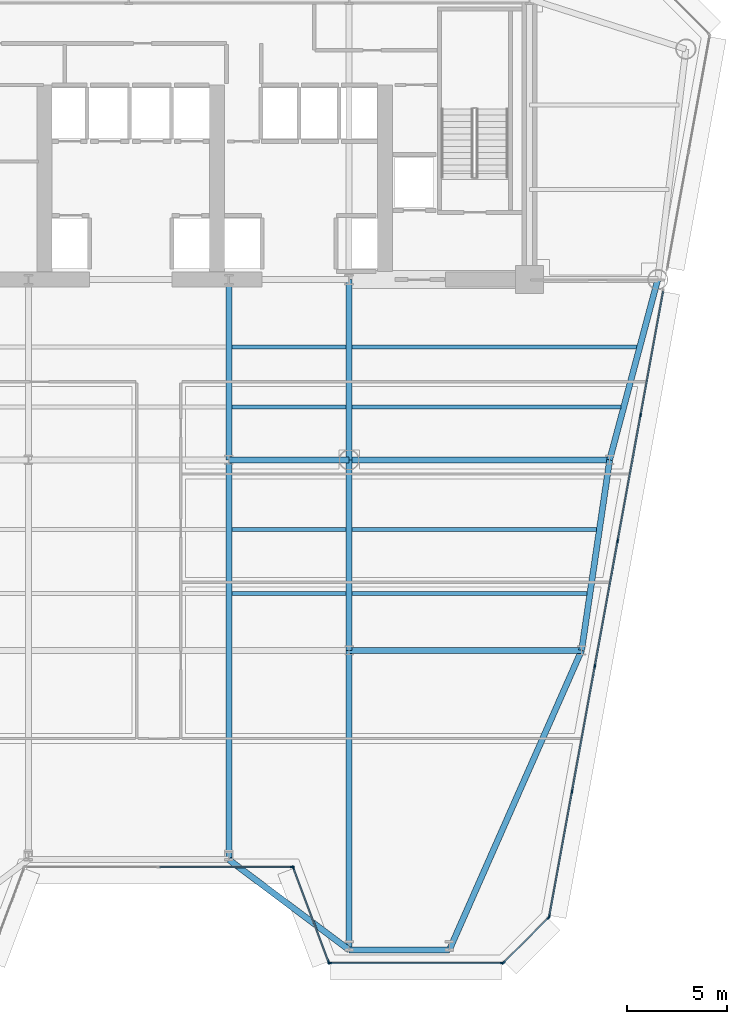
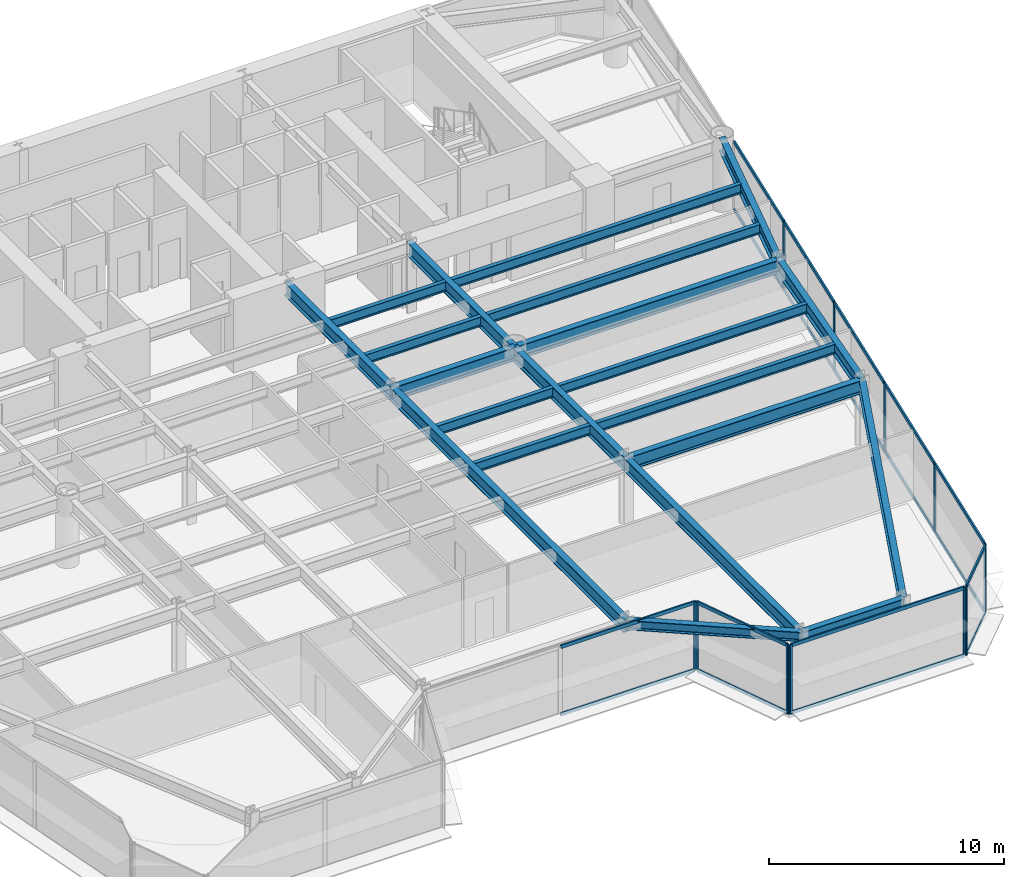
# One storey, part 4 of 14: 30 members, 21 beams, 5 elements without a shape of their own.
"""IFC4 building model written with IfcOpenShell, lengths in metres."""

from ifc_helpers import new_model, si_unit, direction, frame, origin, origin_2d, place, context, subcontext, project, spatial, rectangle, i_section, extrude, source, transform, mapped, material, layer, layer_set, material_profile, profile_set, type_object, element, aggregate, save


model = new_model("IFC4")

# Units and contexts
model_context = context("Model", 3, precision=1e-05, world=origin(), true_north=direction((0.0, 1.0)))
body_context = subcontext(model_context, "Body", "Model", "MODEL_VIEW")
ifc_project = project(units=[si_unit("LENGTHUNIT", "METRE"), si_unit("AREAUNIT", "SQUARE_METRE"), si_unit("VOLUMEUNIT", "CUBIC_METRE"), si_unit("PLANEANGLEUNIT", "RADIAN"), si_unit("MASSUNIT", "GRAM", prefix="KILO")], contexts=[model_context])

# Site, building, storey
site_placement = place(None, origin())
site = spatial("IfcSite", under=ifc_project, at=site_placement, CompositionType="ELEMENT")
building_placement = place(site_placement, origin())
building = spatial("IfcBuilding", under=site, at=building_placement, Name="Vaeldorn Concourse Tower", CompositionType="ELEMENT")
storey_placement = place(building_placement, frame((0.0, 0.0, 107.199951171875)))
storey = spatial("IfcBuildingStorey", under=building, at=storey_placement, Name="L27", CompositionType="ELEMENT", Elevation=107.199951171875)

# Beams
ifc_material_1 = material(Name="Steel S355", Category="steel")
ifc_material_profile_1 = material_profile(ifc_material_1, i_section(OverallWidth=0.199951171875, OverallDepth=0.5, WebThickness=0.01025390625, FlangeThickness=0.01611328125, FilletRadius=0.02099609375, at=origin_2d()), Name="IPE 500")
ifc_profile_set_1 = profile_set([ifc_material_profile_1], Name="Steel S355")
beam_type_1 = type_object("IfcBeamType", Name="BM-JS-IPE500", PredefinedType="JOIST", material=ifc_profile_set_1)
shared_shape_1 = source(origin(), body_context, "Body", "SweptSolid", [
    extrude(i_section(OverallWidth=0.199951171875, OverallDepth=0.5, WebThickness=0.01025390625, FlangeThickness=0.01611328125, FilletRadius=0.02099609375, at=origin_2d()), origin(), (0.0, 0.0, 1.0), 5.7001953125),
])
for number, where, z_axis, x_axis, name in (
    (1, (39.14990234375, 20.840087890625, 3.330078125), (1.0, 0.0, 0.0), (0.0, 1.0, 0.0), "Beam JS-L27-E2-208"),
    (2, (39.14990234375, 24.0400390625, 3.330078125), (1.0, 0.0, 0.0), (0.0, 1.0, 0.0), "Beam JS-L27-E2-240"),
    (3, (39.14990234375, 30.139892578125, 3.330078125), (1.0, 0.0, 0.0), (0.0, 1.0, 0.0), "Beam JS-L27-E2-301"),
    (4, (39.14990234375, 33.139892578125, 3.330078125), (1.0, 0.0, 0.0), (0.0, 1.0, 0.0), "Beam JS-L27-E2-331"),
):
    element("IfcBeam", number, at=place(storey_placement, frame(where, z_axis=z_axis, x_axis=x_axis)), inside=storey, type_object=beam_type_1, Name=name, PredefinedType="JOIST", context=body_context, shape_type="MappedRepresentation", body=[
        mapped(shared_shape_1, transform((0.0, 0.0, 0.0), scale=1.0)),
    ])
shared_shape_2 = source(origin(), body_context, "Body", "SweptSolid", [
    extrude(i_section(OverallWidth=0.199951171875, OverallDepth=0.5, WebThickness=0.01025390625, FlangeThickness=0.01611328125, FilletRadius=0.02099609375, at=origin_2d()), origin(), (0.0, 0.0, 1.0), 11.718505859375),
])
beam_1_placement = place(storey_placement, frame((45.14990234375, 20.840087890625, 3.330078125), z_axis=(1.0, 0.0, 0.0), x_axis=(0.0, 1.0, 0.0)))
element("IfcBeam", 5, at=beam_1_placement, inside=storey, type_object=beam_type_1, Name="Beam JS-L27-E1-208", PredefinedType="JOIST", context=body_context, shape_type="MappedRepresentation", body=[
    mapped(shared_shape_2, transform((0.0, 0.0, 0.0), scale=1.0)),
])
shared_shape_3 = source(origin(), body_context, "Body", "SweptSolid", [
    extrude(i_section(OverallWidth=0.199951171875, OverallDepth=0.5, WebThickness=0.01025390625, FlangeThickness=0.01611328125, FilletRadius=0.02099609375, at=origin_2d()), origin(), (0.0, 0.0, 1.0), 12.190185546875),
])
beam_2_placement = place(storey_placement, frame((45.14990234375, 24.0400390625, 3.330078125), z_axis=(1.0, 0.0, 0.0), x_axis=(0.0, 1.0, 0.0)))
element("IfcBeam", 6, at=beam_2_placement, inside=storey, type_object=beam_type_1, Name="Beam JS-L27-E1-240", PredefinedType="JOIST", context=body_context, shape_type="MappedRepresentation", body=[
    mapped(shared_shape_3, transform((0.0, 0.0, 0.0), scale=1.0)),
])
shared_shape_4 = source(origin(), body_context, "Body", "SweptSolid", [
    extrude(i_section(OverallWidth=0.199951171875, OverallDepth=0.5, WebThickness=0.01025390625, FlangeThickness=0.01611328125, FilletRadius=0.02099609375, at=origin_2d()), origin(), (0.0, 0.0, 1.0), 13.404052734375),
])
beam_3_placement = place(storey_placement, frame((45.14990234375, 30.139892578125, 3.330078125), z_axis=(1.0, 0.0, 0.0), x_axis=(0.0, 1.0, 0.0)))
element("IfcBeam", 7, at=beam_3_placement, inside=storey, type_object=beam_type_1, Name="Beam JS-L27-E1-301", PredefinedType="JOIST", context=body_context, shape_type="MappedRepresentation", body=[
    mapped(shared_shape_4, transform((0.0, 0.0, 0.0), scale=1.0)),
])
shared_shape_5 = source(origin(), body_context, "Body", "SweptSolid", [
    extrude(i_section(OverallWidth=0.199951171875, OverallDepth=0.5, WebThickness=0.01025390625, FlangeThickness=0.01611328125, FilletRadius=0.02099609375, at=origin_2d()), origin(), (0.0, 0.0, 1.0), 14.2041015625),
])
beam_4_placement = place(storey_placement, frame((45.14990234375, 33.139892578125, 3.330078125), z_axis=(1.0, 0.0, 0.0), x_axis=(0.0, 1.0, 0.0)))
element("IfcBeam", 8, at=beam_4_placement, inside=storey, type_object=beam_type_1, Name="Beam JS-L27-E1-331", PredefinedType="JOIST", context=body_context, shape_type="MappedRepresentation", body=[
    mapped(shared_shape_5, transform((0.0, 0.0, 0.0), scale=1.0)),
])
ifc_material_profile_2 = material_profile(ifc_material_1, i_section(OverallWidth=0.300048828125, OverallDepth=0.699951171875, WebThickness=0.01708984375, FlangeThickness=0.031982421875, FilletRadius=0.027099609375, at=origin_2d()), Name="HEB 700")
ifc_profile_set_2 = profile_set([ifc_material_profile_2], Name="Steel S355")
beam_type_2 = type_object("IfcBeamType", Name="BM-PG-HEB700", PredefinedType="BEAM", material=ifc_profile_set_2)
shared_shape_6 = source(origin(), body_context, "Body", "SweptSolid", [
    extrude(i_section(OverallWidth=0.300048828125, OverallDepth=0.699951171875, WebThickness=0.01708984375, FlangeThickness=0.031982421875, FilletRadius=0.027099609375, at=origin_2d()), origin(), (0.0, 0.0, 1.0), 6.0),
])
beam_5_placement = place(storey_placement, frame((39.0, 27.5, 3.22998046875), z_axis=(1.0, 0.0, 0.0), x_axis=(0.0, 1.0, 0.0)))
element("IfcBeam", 9, at=beam_5_placement, inside=storey, type_object=beam_type_2, Name="Beam BM-L27-C-TW3-C-TW4", PredefinedType="BEAM", context=body_context, shape_type="MappedRepresentation", body=[
    mapped(shared_shape_6, transform((0.0, 0.0, 0.0), scale=1.0)),
])
shared_shape_7 = source(origin(), body_context, "Body", "SweptSolid", [
    extrude(i_section(OverallWidth=0.300048828125, OverallDepth=0.699951171875, WebThickness=0.01708984375, FlangeThickness=0.031982421875, FilletRadius=0.027099609375, at=origin_2d()), origin(), (0.0, 0.0, 1.0), 9.0),
])
for number, where, z_axis, x_axis, name in (
    (10, (39.0, 27.5, 3.22998046875), (0.0, 1.0, 0.0), (-1.0, 0.0, 0.0), "Beam BM-L27-C-TW3-C-FC4"),
    (11, (45.0, 27.5, 3.22998046875), (0.0, 1.0, 0.0), (-1.0, 0.0, 0.0), "Beam BM-L27-C-TW4-C-FC5"),
):
    element("IfcBeam", number, at=place(storey_placement, frame(where, z_axis=z_axis, x_axis=x_axis)), inside=storey, type_object=beam_type_2, Name=name, PredefinedType="BEAM", context=body_context, shape_type="MappedRepresentation", body=[
        mapped(shared_shape_7, transform((0.0, 0.0, 0.0), scale=1.0)),
    ])
shared_shape_8 = source(origin(), body_context, "Body", "SweptSolid", [
    extrude(i_section(OverallWidth=0.300048828125, OverallDepth=0.699951171875, WebThickness=0.01708984375, FlangeThickness=0.031982421875, FilletRadius=0.027099609375, at=origin_2d()), origin(), (0.0, 0.0, 1.0), 9.314453125),
])
beam_6_placement = place(storey_placement, frame((60.39990234375, 36.5, 3.22998046875), z_axis=(-0.257652862255, -0.966237549763, 0.0), x_axis=(0.966237549763, -0.257652862255, 0.0)))
element("IfcBeam", 12, at=beam_6_placement, inside=storey, type_object=beam_type_2, Name="Beam BM-L27-C-NE2-C-FLE1", PredefinedType="BEAM", context=body_context, shape_type="MappedRepresentation", body=[
    mapped(shared_shape_8, transform((0.0, 0.0, 0.0), scale=1.0)),
])
shared_shape_9 = source(origin(), body_context, "Body", "SweptSolid", [
    extrude(i_section(OverallWidth=0.300048828125, OverallDepth=0.699951171875, WebThickness=0.01708984375, FlangeThickness=0.031982421875, FilletRadius=0.027099609375, at=origin_2d()), origin(), (0.0, 0.0, 1.0), 13.0),
])
beam_7_placement = place(storey_placement, frame((45.0, 27.5, 3.22998046875), z_axis=(1.0, 0.0, 0.0), x_axis=(0.0, 1.0, 0.0)))
element("IfcBeam", 13, at=beam_7_placement, inside=storey, type_object=beam_type_2, Name="Beam BM-L27-C-TW4-C-FLE1", PredefinedType="BEAM", context=body_context, shape_type="MappedRepresentation", body=[
    mapped(shared_shape_9, transform((0.0, 0.0, 0.0), scale=1.0)),
])
ifc_material_profile_3 = material_profile(ifc_material_1, i_section(OverallWidth=0.300048828125, OverallDepth=0.5, WebThickness=0.014404296875, FlangeThickness=0.028076171875, FilletRadius=0.027099609375, at=origin_2d()), Name="HEB 500")
ifc_profile_set_3 = profile_set([ifc_material_profile_3], Name="Steel S355")
beam_type_3 = type_object("IfcBeamType", Name="BM-SP-HEB500", PredefinedType="SPANDREL", material=ifc_profile_set_3)
shared_shape_10 = source(origin(), body_context, "Body", "SweptSolid", [
    extrude(i_section(OverallWidth=0.300048828125, OverallDepth=0.5, WebThickness=0.014404296875, FlangeThickness=0.028076171875, FilletRadius=0.027099609375, at=origin_2d()), origin(), (0.0, 0.0, 1.0), 5.0),
])
beam_8_placement = place(storey_placement, frame((45.0, 3.0517578125, 3.330078125), z_axis=(1.0, 0.0, 0.0), x_axis=(0.0, 1.0, 0.0)))
element("IfcBeam", 14, at=beam_8_placement, inside=storey, type_object=beam_type_3, Name="Beam BM-L27-C-SF5-C-SF6", PredefinedType="SPANDREL", context=body_context, shape_type="MappedRepresentation", body=[
    mapped(shared_shape_10, transform((0.0, 0.0, 0.0), scale=1.0)),
])
shared_shape_11 = source(origin(), body_context, "Body", "SweptSolid", [
    extrude(i_section(OverallWidth=0.300048828125, OverallDepth=0.5, WebThickness=0.014404296875, FlangeThickness=0.028076171875, FilletRadius=0.027099609375, at=origin_2d()), origin(), (0.0, 0.0, 1.0), 7.5),
])
beam_9_placement = place(storey_placement, frame((39.0, 7.5517578125, 3.330078125), z_axis=(0.8, -0.6, 0.0), x_axis=(0.6, 0.8, 0.0)))
element("IfcBeam", 15, at=beam_9_placement, inside=storey, type_object=beam_type_3, Name="Beam BM-L27-C-SF4-C-SF5", PredefinedType="SPANDREL", context=body_context, shape_type="MappedRepresentation", body=[
    mapped(shared_shape_11, transform((0.0, 0.0, 0.0), scale=1.0)),
])
shared_shape_12 = source(origin(), body_context, "Body", "SweptSolid", [
    extrude(i_section(OverallWidth=0.300048828125, OverallDepth=0.699951171875, WebThickness=0.01708984375, FlangeThickness=0.031982421875, FilletRadius=0.027099609375, at=origin_2d()), origin(), (0.0, 0.0, 1.0), 9.6025390625),
])
beam_10_placement = place(storey_placement, frame((58.0, 27.5, 3.22998046875), z_axis=(-0.145783835977, -0.989316467652, 0.0), x_axis=(0.989316467652, -0.145783835977, 0.0)))
element("IfcBeam", 16, at=beam_10_placement, inside=storey, type_object=beam_type_2, Name="Beam BM-L27-C-FLE1-C-FLE2", PredefinedType="BEAM", context=body_context, shape_type="MappedRepresentation", body=[
    mapped(shared_shape_12, transform((0.0, 0.0, 0.0), scale=1.0)),
])
shared_shape_13 = source(origin(), body_context, "Body", "SweptSolid", [
    extrude(i_section(OverallWidth=0.300048828125, OverallDepth=0.699951171875, WebThickness=0.01708984375, FlangeThickness=0.031982421875, FilletRadius=0.027099609375, at=origin_2d()), origin(), (0.0, 0.0, 1.0), 11.60009765625),
])
beam_11_placement = place(storey_placement, frame((45.0, 18.0, 3.22998046875), z_axis=(1.0, 0.0, 0.0), x_axis=(0.0, 1.0, 0.0)))
element("IfcBeam", 17, at=beam_11_placement, inside=storey, type_object=beam_type_2, Name="Beam BM-L27-C-TW6-C-FLE2", PredefinedType="BEAM", context=body_context, shape_type="MappedRepresentation", body=[
    mapped(shared_shape_13, transform((0.0, 0.0, 0.0), scale=1.0)),
])
shared_shape_14 = source(origin(), body_context, "Body", "SweptSolid", [
    extrude(i_section(OverallWidth=0.300048828125, OverallDepth=0.699951171875, WebThickness=0.01708984375, FlangeThickness=0.031982421875, FilletRadius=0.027099609375, at=origin_2d()), origin(), (0.0, 0.0, 1.0), 9.5),
])
beam_12_placement = place(storey_placement, frame((45.0, 18.0, 3.22998046875), z_axis=(0.0, 1.0, 0.0), x_axis=(-1.0, 0.0, 0.0)))
element("IfcBeam", 18, at=beam_12_placement, inside=storey, type_object=beam_type_2, Name="Beam BM-L27-C-TW6-C-TW4", PredefinedType="BEAM", context=body_context, shape_type="MappedRepresentation", body=[
    mapped(shared_shape_14, transform((0.0, 0.0, 0.0), scale=1.0)),
])
shared_shape_15 = source(origin(), body_context, "Body", "SweptSolid", [
    extrude(i_section(OverallWidth=0.300048828125, OverallDepth=0.699951171875, WebThickness=0.01708984375, FlangeThickness=0.031982421875, FilletRadius=0.027099609375, at=origin_2d()), origin(), (0.0, 0.0, 1.0), 16.340576171875),
])
beam_13_placement = place(storey_placement, frame((50.0, 3.0517578125, 3.22998046875), z_axis=(0.403910920123, 0.914798321274, 0.0), x_axis=(-0.914798321274, 0.403910920123, 0.0)))
element("IfcBeam", 19, at=beam_13_placement, inside=storey, type_object=beam_type_2, Name="Beam BM-L27-C-SF6-C-FLE2", PredefinedType="BEAM", context=body_context, shape_type="MappedRepresentation", body=[
    mapped(shared_shape_15, transform((0.0, 0.0, 0.0), scale=1.0)),
])
shared_shape_16 = source(origin(), body_context, "Body", "SweptSolid", [
    extrude(i_section(OverallWidth=0.300048828125, OverallDepth=0.699951171875, WebThickness=0.01708984375, FlangeThickness=0.031982421875, FilletRadius=0.027099609375, at=origin_2d()), origin(), (0.0, 0.0, 1.0), 14.9482421875),
])
beam_14_placement = place(storey_placement, frame((45.0, 3.0517578125, 3.22998046875), z_axis=(0.0, 1.0, 0.0), x_axis=(-1.0, 0.0, 0.0)))
element("IfcBeam", 20, at=beam_14_placement, inside=storey, type_object=beam_type_2, Name="Beam BM-L27-C-SF5-C-TW6", PredefinedType="BEAM", context=body_context, shape_type="MappedRepresentation", body=[
    mapped(shared_shape_16, transform((0.0, 0.0, 0.0), scale=1.0)),
])
shared_shape_17 = source(origin(), body_context, "Body", "SweptSolid", [
    extrude(i_section(OverallWidth=0.300048828125, OverallDepth=0.699951171875, WebThickness=0.01708984375, FlangeThickness=0.031982421875, FilletRadius=0.027099609375, at=origin_2d()), origin(), (0.0, 0.0, 1.0), 19.9482421875),
])
beam_15_placement = place(storey_placement, frame((39.0, 7.5517578125, 3.22998046875), z_axis=(0.0, 1.0, 0.0), x_axis=(-1.0, 0.0, 0.0)))
element("IfcBeam", 21, at=beam_15_placement, inside=storey, type_object=beam_type_2, Name="Beam BM-L27-C-SF4-C-TW3", PredefinedType="BEAM", context=body_context, shape_type="MappedRepresentation", body=[
    mapped(shared_shape_17, transform((0.0, 0.0, 0.0), scale=1.0)),
])

# Curtain wall, members
ifc_material_2 = material(Name="Anodised Bronze Aluminium", Category="aluminium")
ifc_layer = layer(ifc_material_2, 0.199951171875)
ifc_layer_set = layer_set([ifc_layer], Name="Anodised Bronze Aluminium")
curtain_wall_type = type_object("IfcCurtainWallType", Name="CW-SYS-02", PredefinedType="NOTDEFINED", material=ifc_layer_set)
curtain_wall_1_placement = place(storey_placement, origin())
curtain_wall_1 = element("IfcCurtainWall", 22, at=curtain_wall_1_placement, inside=storey, type_object=curtain_wall_type, Name="Unitised Curtain Wall CW-L27-E03-1", PredefinedType="NOTDEFINED")
ifc_material_profile_4 = material_profile(ifc_material_2, rectangle(XDim=0.074951171875, YDim=0.179931640625, at=origin_2d()), Name="CWT 75x180")
ifc_profile_set_4 = profile_set([ifc_material_profile_4], Name="Anodised Bronze Aluminium")
member_type_1 = type_object("IfcMemberType", Name="CWT-BRONZE-180", PredefinedType="USERDEFINED", material=ifc_profile_set_4)
shared_shape_18 = source(origin(), body_context, "Body", "SweptSolid", [
    extrude(rectangle(XDim=0.074951171875, YDim=0.179931640625, at=origin_2d()), origin(), (0.0, 0.0, 1.0), 6.58740234375),
])
member_1_placement = place(storey_placement, frame((35.53759765625, 7.19091796875, 0.03759765625), z_axis=(1.0, 0.0, 0.0), x_axis=(0.0, 1.0, 0.0)))
member_1 = element("IfcMember", 23, at=member_1_placement, type_object=member_type_1, Name="CW-02 transom 2.1", ObjectType="TRANSOM", PredefinedType="USERDEFINED", context=body_context, shape_type="MappedRepresentation", body=[
    mapped(shared_shape_18, transform((0.0, 0.0, 0.0), scale=1.0)),
])
member_2_placement = place(storey_placement, frame((35.53759765625, 7.19091796875, 3.54248046875), z_axis=(1.0, 0.0, 0.0), x_axis=(0.0, 1.0, 0.0)))
member_2 = element("IfcMember", 24, at=member_2_placement, type_object=member_type_1, Name="CW-02 transom 2.2", ObjectType="TRANSOM", PredefinedType="USERDEFINED", context=body_context, shape_type="MappedRepresentation", body=[
    mapped(shared_shape_18, transform((0.0, 0.0, 0.0), scale=1.0)),
])

curtain_wall_2_placement = place(storey_placement, origin())
curtain_wall_2 = element("IfcCurtainWall", 25, at=curtain_wall_2_placement, inside=storey, type_object=curtain_wall_type, Name="Unitised Curtain Wall CW-L27-E06-1", PredefinedType="NOTDEFINED")
shared_shape_19 = source(origin(), body_context, "Body", "SweptSolid", [
    extrude(rectangle(XDim=0.074951171875, YDim=0.179931640625, at=origin_2d()), origin(), (0.0, 0.0, 1.0), 3.102783203125),
])
member_3_placement = place(storey_placement, frame((52.732421875, 2.44384765625, 0.03759765625), z_axis=(0.707146122816, 0.707067437368, 0.0), x_axis=(-0.707067437368, 0.707146122816, 0.0)))
member_3 = element("IfcMember", 26, at=member_3_placement, type_object=member_type_1, Name="CW-02 transom 1.1", ObjectType="TRANSOM", PredefinedType="USERDEFINED", context=body_context, shape_type="MappedRepresentation", body=[
    mapped(shared_shape_19, transform((0.0, 0.0, 0.0), scale=1.0)),
])
member_4_placement = place(storey_placement, frame((52.732421875, 2.44384765625, 3.54248046875), z_axis=(0.707146122816, 0.707067437368, 0.0), x_axis=(-0.707067437368, 0.707146122816, 0.0)))
member_4 = element("IfcMember", 27, at=member_4_placement, type_object=member_type_1, Name="CW-02 transom 1.2", ObjectType="TRANSOM", PredefinedType="USERDEFINED", context=body_context, shape_type="MappedRepresentation", body=[
    mapped(shared_shape_19, transform((0.0, 0.0, 0.0), scale=1.0)),
])

curtain_wall_3_placement = place(storey_placement, origin())
curtain_wall_3 = element("IfcCurtainWall", 28, at=curtain_wall_3_placement, inside=storey, type_object=curtain_wall_type, Name="Unitised Curtain Wall CW-L27-E04-1", PredefinedType="NOTDEFINED")
shared_shape_20 = source(origin(), body_context, "Body", "SweptSolid", [
    extrude(rectangle(XDim=0.074951171875, YDim=0.179931640625, at=origin_2d()), origin(), (0.0, 0.0, 1.0), 4.9765625),
])
member_5_placement = place(storey_placement, frame((42.226318359375, 7.12060546875, 0.03759765625), z_axis=(0.351112688987, -0.936333209724, 0.0), x_axis=(0.936333209724, 0.351112688987, 0.0)))
member_5 = element("IfcMember", 29, at=member_5_placement, type_object=member_type_1, Name="CW-02 transom 1.1", ObjectType="TRANSOM", PredefinedType="USERDEFINED", context=body_context, shape_type="MappedRepresentation", body=[
    mapped(shared_shape_20, transform((0.0, 0.0, 0.0), scale=1.0)),
])
member_6_placement = place(storey_placement, frame((42.226318359375, 7.12060546875, 3.54248046875), z_axis=(0.351112688987, -0.936333209724, 0.0), x_axis=(0.936333209724, 0.351112688987, 0.0)))
member_6 = element("IfcMember", 30, at=member_6_placement, type_object=member_type_1, Name="CW-02 transom 1.2", ObjectType="TRANSOM", PredefinedType="USERDEFINED", context=body_context, shape_type="MappedRepresentation", body=[
    mapped(shared_shape_20, transform((0.0, 0.0, 0.0), scale=1.0)),
])

curtain_wall_4_placement = place(storey_placement, origin())
curtain_wall_4 = element("IfcCurtainWall", 31, at=curtain_wall_4_placement, inside=storey, type_object=curtain_wall_type, Name="Unitised Curtain Wall CW-L27-E05-1", PredefinedType="NOTDEFINED")
shared_shape_21 = source(origin(), body_context, "Body", "SweptSolid", [
    extrude(rectangle(XDim=0.074951171875, YDim=0.179931640625, at=origin_2d()), origin(), (0.0, 0.0, 1.0), 8.529541015625),
])
member_7_placement = place(storey_placement, frame((44.074951171875, 2.390869140625, 0.03759765625), z_axis=(1.0, 0.0, 0.0), x_axis=(0.0, 1.0, 0.0)))
member_7 = element("IfcMember", 32, at=member_7_placement, type_object=member_type_1, Name="CW-02 transom 1.1", ObjectType="TRANSOM", PredefinedType="USERDEFINED", context=body_context, shape_type="MappedRepresentation", body=[
    mapped(shared_shape_21, transform((0.0, 0.0, 0.0), scale=1.0)),
])
member_8_placement = place(storey_placement, frame((44.074951171875, 2.390869140625, 3.54248046875), z_axis=(1.0, 0.0, 0.0), x_axis=(0.0, 1.0, 0.0)))
member_8 = element("IfcMember", 33, at=member_8_placement, type_object=member_type_1, Name="CW-02 transom 1.2", ObjectType="TRANSOM", PredefinedType="USERDEFINED", context=body_context, shape_type="MappedRepresentation", body=[
    mapped(shared_shape_21, transform((0.0, 0.0, 0.0), scale=1.0)),
])

# Member
ifc_material_profile_5 = material_profile(ifc_material_2, rectangle(XDim=0.074951171875, YDim=0.18994140625, at=origin_2d()), Name="CWM 75x190")
ifc_profile_set_5 = profile_set([ifc_material_profile_5], Name="Anodised Bronze Aluminium")
member_type_2 = type_object("IfcMemberType", Name="CWM-BRONZE-190", PredefinedType="MULLION", material=ifc_profile_set_5)
shared_shape_22 = source(origin(), body_context, "Body", "SweptSolid", [
    extrude(rectangle(XDim=0.074951171875, YDim=0.18994140625, at=origin_2d()), origin(), (0.0, 0.0, 1.0), 3.580078125),
])
member_9_placement = place(storey_placement, frame((42.16259765625, 7.19091796875, 0.0), z_axis=(0.0, 0.0, 1.0), x_axis=(0.0, 1.0, 0.0)))
member_9 = element("IfcMember", 34, at=member_9_placement, type_object=member_type_2, Name="CW-02 mullion 3", PredefinedType="MULLION", context=body_context, shape_type="MappedRepresentation", body=[
    mapped(shared_shape_22, transform((0.0, 0.0, 0.0), scale=1.0)),
])

aggregate(curtain_wall_1, [member_9, member_1, member_2])

member_10_placement = place(storey_placement, frame((42.213134765625, 7.15576171875, 0.0), z_axis=(0.0, 0.0, 1.0), x_axis=(0.936329177566, 0.351123441595, 0.0)))
member_10 = element("IfcMember", 35, at=member_10_placement, type_object=member_type_2, Name="CW-02 mullion 1", PredefinedType="MULLION", context=body_context, shape_type="MappedRepresentation", body=[
    mapped(shared_shape_22, transform((0.0, 0.0, 0.0), scale=1.0)),
])

member_11_placement = place(storey_placement, frame((43.98681640625, 2.426025390625, 0.0), z_axis=(0.0, 0.0, 1.0), x_axis=(0.936329177566, 0.351123441595, 0.0)))
member_11 = element("IfcMember", 36, at=member_11_placement, type_object=member_type_2, Name="CW-02 mullion 2", PredefinedType="MULLION", context=body_context, shape_type="MappedRepresentation", body=[
    mapped(shared_shape_22, transform((0.0, 0.0, 0.0), scale=1.0)),
])

aggregate(curtain_wall_3, [member_10, member_11, member_5, member_6])

member_12_placement = place(storey_placement, frame((44.03759765625, 2.390869140625, 0.0), z_axis=(0.0, 0.0, 1.0), x_axis=(0.0, 1.0, 0.0)))
member_12 = element("IfcMember", 37, at=member_12_placement, type_object=member_type_2, Name="CW-02 mullion 1", PredefinedType="MULLION", context=body_context, shape_type="MappedRepresentation", body=[
    mapped(shared_shape_22, transform((0.0, 0.0, 0.0), scale=1.0)),
])

member_13_placement = place(storey_placement, frame((52.64208984375, 2.390869140625, 0.0), z_axis=(0.0, 0.0, 1.0), x_axis=(0.0, 1.0, 0.0)))
member_13 = element("IfcMember", 38, at=member_13_placement, type_object=member_type_2, Name="CW-02 mullion 2", PredefinedType="MULLION", context=body_context, shape_type="MappedRepresentation", body=[
    mapped(shared_shape_22, transform((0.0, 0.0, 0.0), scale=1.0)),
])

aggregate(curtain_wall_4, [member_12, member_13, member_7, member_8])

member_14_placement = place(storey_placement, frame((52.7060546875, 2.417236328125, 0.0), z_axis=(0.0, 0.0, 1.0), x_axis=(-0.707106781187, 0.707106781187, 0.0)))
member_14 = element("IfcMember", 39, at=member_14_placement, type_object=member_type_2, Name="CW-02 mullion 1", PredefinedType="MULLION", context=body_context, shape_type="MappedRepresentation", body=[
    mapped(shared_shape_22, transform((0.0, 0.0, 0.0), scale=1.0)),
])

member_15_placement = place(storey_placement, frame((54.952880859375, 4.664306640625, 0.0), z_axis=(0.0, 0.0, 1.0), x_axis=(-0.707106781187, 0.707106781187, 0.0)))
member_15 = element("IfcMember", 40, at=member_15_placement, type_object=member_type_2, Name="CW-02 mullion 2", PredefinedType="MULLION", context=body_context, shape_type="MappedRepresentation", body=[
    mapped(shared_shape_22, transform((0.0, 0.0, 0.0), scale=1.0)),
])

aggregate(curtain_wall_2, [member_14, member_15, member_3, member_4])

# Curtain wall, members
curtain_wall_5_placement = place(storey_placement, origin())
curtain_wall_5 = element("IfcCurtainWall", 41, at=curtain_wall_5_placement, inside=storey, type_object=curtain_wall_type, Name="Unitised Curtain Wall CW-L27-E07-1", PredefinedType="NOTDEFINED")
member_16_placement = place(storey_placement, frame((54.986328125, 4.727783203125, 0.0), z_axis=(0.0, 0.0, 1.0), x_axis=(-0.983795727872, 0.179292960877, 0.0)))
member_16 = element("IfcMember", 42, at=member_16_placement, type_object=member_type_2, Name="CW-02 mullion 1", PredefinedType="MULLION", context=body_context, shape_type="MappedRepresentation", body=[
    mapped(shared_shape_22, transform((0.0, 0.0, 0.0), scale=1.0)),
])
member_17_placement = place(storey_placement, frame((56.1201171875, 10.948974609375, 0.0), z_axis=(0.0, 0.0, 1.0), x_axis=(-0.983795727872, 0.179292960877, 0.0)))
member_17 = element("IfcMember", 43, at=member_17_placement, type_object=member_type_2, Name="CW-02 mullion 2", PredefinedType="MULLION", context=body_context, shape_type="MappedRepresentation", body=[
    mapped(shared_shape_22, transform((0.0, 0.0, 0.0), scale=1.0)),
])
member_18_placement = place(storey_placement, frame((57.260498046875, 17.207275390625, 0.0), z_axis=(0.0, 0.0, 1.0), x_axis=(-0.983795727872, 0.179292960877, 0.0)))
member_18 = element("IfcMember", 44, at=member_18_placement, type_object=member_type_2, Name="CW-02 mullion 3", PredefinedType="MULLION", context=body_context, shape_type="MappedRepresentation", body=[
    mapped(shared_shape_22, transform((0.0, 0.0, 0.0), scale=1.0)),
])
member_19_placement = place(storey_placement, frame((58.401123046875, 23.465576171875, 0.0), z_axis=(0.0, 0.0, 1.0), x_axis=(-0.983795727872, 0.179292960877, 0.0)))
member_19 = element("IfcMember", 45, at=member_19_placement, type_object=member_type_2, Name="CW-02 mullion 4", PredefinedType="MULLION", context=body_context, shape_type="MappedRepresentation", body=[
    mapped(shared_shape_22, transform((0.0, 0.0, 0.0), scale=1.0)),
])
member_20_placement = place(storey_placement, frame((59.541748046875, 29.723876953125, 0.0), z_axis=(0.0, 0.0, 1.0), x_axis=(-0.983795727872, 0.179292960877, 0.0)))
member_20 = element("IfcMember", 46, at=member_20_placement, type_object=member_type_2, Name="CW-02 mullion 5", PredefinedType="MULLION", context=body_context, shape_type="MappedRepresentation", body=[
    mapped(shared_shape_22, transform((0.0, 0.0, 0.0), scale=1.0)),
])
shared_shape_23 = source(origin(), body_context, "Body", "SweptSolid", [
    extrude(rectangle(XDim=0.074951171875, YDim=0.179931640625, at=origin_2d()), origin(), (0.0, 0.0, 1.0), 6.248779296875),
])
member_21_placement = place(storey_placement, frame((54.992919921875, 4.7646484375, 0.03759765625), z_axis=(0.17929456911, 0.983795434777, 0.0), x_axis=(-0.983795434777, 0.17929456911, 0.0)))
member_21 = element("IfcMember", 47, at=member_21_placement, type_object=member_type_1, Name="CW-02 transom 1.1", ObjectType="TRANSOM", PredefinedType="USERDEFINED", context=body_context, shape_type="MappedRepresentation", body=[
    mapped(shared_shape_23, transform((0.0, 0.0, 0.0), scale=1.0)),
])
member_22_placement = place(storey_placement, frame((54.992919921875, 4.7646484375, 3.54248046875), z_axis=(0.17929456911, 0.983795434777, 0.0), x_axis=(-0.983795434777, 0.17929456911, 0.0)))
member_22 = element("IfcMember", 48, at=member_22_placement, type_object=member_type_1, Name="CW-02 transom 1.2", ObjectType="TRANSOM", PredefinedType="USERDEFINED", context=body_context, shape_type="MappedRepresentation", body=[
    mapped(shared_shape_23, transform((0.0, 0.0, 0.0), scale=1.0)),
])
member_23_placement = place(storey_placement, frame((59.54833984375, 29.7607421875, 0.03759765625), z_axis=(0.17929456911, 0.983795434777, 0.0), x_axis=(-0.983795434777, 0.17929456911, 0.0)))
member_23 = element("IfcMember", 49, at=member_23_placement, type_object=member_type_1, Name="CW-02 transom 5.1", ObjectType="TRANSOM", PredefinedType="USERDEFINED", context=body_context, shape_type="MappedRepresentation", body=[
    mapped(shared_shape_23, transform((0.0, 0.0, 0.0), scale=1.0)),
])
member_24_placement = place(storey_placement, frame((59.54833984375, 29.7607421875, 3.54248046875), z_axis=(0.17929456911, 0.983795434777, 0.0), x_axis=(-0.983795434777, 0.17929456911, 0.0)))
member_24 = element("IfcMember", 50, at=member_24_placement, type_object=member_type_1, Name="CW-02 transom 5.2", ObjectType="TRANSOM", PredefinedType="USERDEFINED", context=body_context, shape_type="MappedRepresentation", body=[
    mapped(shared_shape_23, transform((0.0, 0.0, 0.0), scale=1.0)),
])
shared_shape_24 = source(origin(), body_context, "Body", "SweptSolid", [
    extrude(rectangle(XDim=0.074951171875, YDim=0.179931640625, at=origin_2d()), origin(), (0.0, 0.0, 1.0), 6.286376953125),
])
member_25_placement = place(storey_placement, frame((56.126708984375, 10.98583984375, 0.03759765625), z_axis=(0.179305782668, 0.983793391064, 0.0), x_axis=(-0.983793391064, 0.179305782668, 0.0)))
member_25 = element("IfcMember", 51, at=member_25_placement, type_object=member_type_1, Name="CW-02 transom 2.1", ObjectType="TRANSOM", PredefinedType="USERDEFINED", context=body_context, shape_type="MappedRepresentation", body=[
    mapped(shared_shape_24, transform((0.0, 0.0, 0.0), scale=1.0)),
])
member_26_placement = place(storey_placement, frame((56.126708984375, 10.98583984375, 3.54248046875), z_axis=(0.179305782668, 0.983793391064, 0.0), x_axis=(-0.983793391064, 0.179305782668, 0.0)))
member_26 = element("IfcMember", 52, at=member_26_placement, type_object=member_type_1, Name="CW-02 transom 2.2", ObjectType="TRANSOM", PredefinedType="USERDEFINED", context=body_context, shape_type="MappedRepresentation", body=[
    mapped(shared_shape_24, transform((0.0, 0.0, 0.0), scale=1.0)),
])
member_27_placement = place(storey_placement, frame((57.267333984375, 17.244140625, 0.03759765625), z_axis=(0.179268194881, 0.983800241057, 0.0), x_axis=(-0.983800241057, 0.179268194881, 0.0)))
member_27 = element("IfcMember", 53, at=member_27_placement, type_object=member_type_1, Name="CW-02 transom 3.1", ObjectType="TRANSOM", PredefinedType="USERDEFINED", context=body_context, shape_type="MappedRepresentation", body=[
    mapped(shared_shape_24, transform((0.0, 0.0, 0.0), scale=1.0)),
])
member_28_placement = place(storey_placement, frame((57.267333984375, 17.244140625, 3.54248046875), z_axis=(0.179268194881, 0.983800241057, 0.0), x_axis=(-0.983800241057, 0.179268194881, 0.0)))
member_28 = element("IfcMember", 54, at=member_28_placement, type_object=member_type_1, Name="CW-02 transom 3.2", ObjectType="TRANSOM", PredefinedType="USERDEFINED", context=body_context, shape_type="MappedRepresentation", body=[
    mapped(shared_shape_24, transform((0.0, 0.0, 0.0), scale=1.0)),
])
shared_shape_25 = source(origin(), body_context, "Body", "SweptSolid", [
    extrude(rectangle(XDim=0.074951171875, YDim=0.179931640625, at=origin_2d()), origin(), (0.0, 0.0, 1.0), 6.2861328125),
])
member_29_placement = place(storey_placement, frame((58.407958984375, 23.50244140625, 0.03759765625), z_axis=(0.179275044461, 0.983798992901, 0.0), x_axis=(-0.983798992901, 0.179275044461, 0.0)))
member_29 = element("IfcMember", 55, at=member_29_placement, type_object=member_type_1, Name="CW-02 transom 4.1", ObjectType="TRANSOM", PredefinedType="USERDEFINED", context=body_context, shape_type="MappedRepresentation", body=[
    mapped(shared_shape_25, transform((0.0, 0.0, 0.0), scale=1.0)),
])
member_30_placement = place(storey_placement, frame((58.407958984375, 23.50244140625, 3.54248046875), z_axis=(0.179275044461, 0.983798992901, 0.0), x_axis=(-0.983798992901, 0.179275044461, 0.0)))
member_30 = element("IfcMember", 56, at=member_30_placement, type_object=member_type_1, Name="CW-02 transom 4.2", ObjectType="TRANSOM", PredefinedType="USERDEFINED", context=body_context, shape_type="MappedRepresentation", body=[
    mapped(shared_shape_25, transform((0.0, 0.0, 0.0), scale=1.0)),
])
aggregate(curtain_wall_5, [member_16, member_17, member_18, member_19, member_20, member_21, member_22, member_25, member_26, member_27, member_28, member_29, member_30, member_23, member_24])

save(model, "model.ifc")
